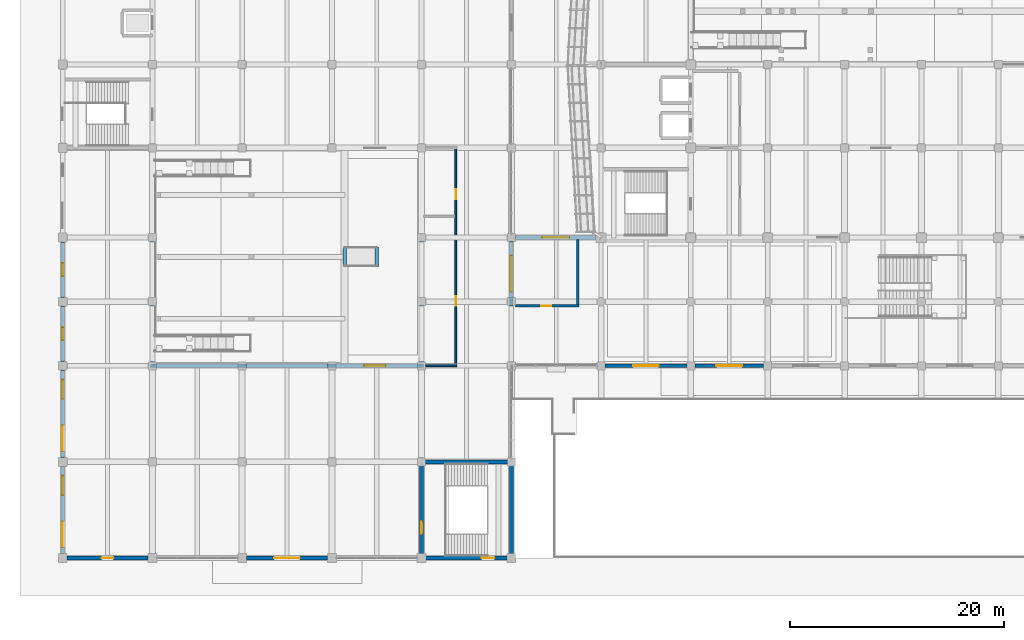
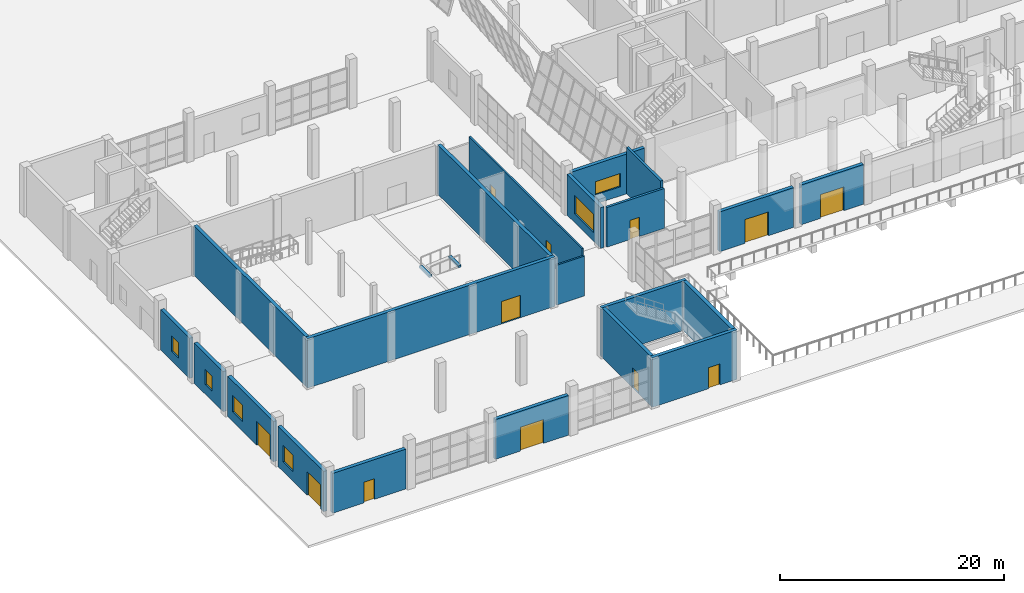
# One storey, part 60 of 78: 23 walls, 12 doors, 6 windows, 18 openings.
"""IFC4 building model written with IfcOpenShell, lengths in metres."""

from ifc_helpers import new_model, si_unit, direction, frame, frame_2d, origin, place, context, subcontext, project, spatial, rectangle, extrude, material, layer, layer_set, type_object, element, fill, save


model = new_model("IFC4")

# Units and contexts
model_context = context("Model", 3, precision=1e-05, world=origin(), true_north=direction((0.0, 1.0)))
body_context = subcontext(model_context, "Body", "Model", "MODEL_VIEW")
ifc_project = project(units=[si_unit("LENGTHUNIT", "METRE"), si_unit("AREAUNIT", "SQUARE_METRE"), si_unit("VOLUMEUNIT", "CUBIC_METRE"), si_unit("PLANEANGLEUNIT", "RADIAN"), si_unit("MASSUNIT", "GRAM", prefix="KILO")], contexts=[model_context])

# Site, building, storey
site_placement = place(None, origin())
site = spatial("IfcSite", under=ifc_project, at=site_placement, CompositionType="ELEMENT")
building_placement = place(site_placement, origin())
building = spatial("IfcBuilding", under=site, at=building_placement, Name="Pellamere Symphony Hall", CompositionType="ELEMENT")
storey_placement = place(building_placement, origin())
storey = spatial("IfcBuildingStorey", under=building, at=storey_placement, Name="L00", CompositionType="ELEMENT", Elevation=0.0)

# Wall, opening, door
ifc_material_1 = material(Name="Precast concrete 40 MPa", Category="concrete")
ifc_layer_1 = layer(ifc_material_1, 0.360107421875, Name="Precast concrete 40 MPa")
ifc_layer_set_1 = layer_set([ifc_layer_1], Name="Precast concrete 40 MPa")
wall_type_1 = type_object("IfcWallType", Name="Exterior Wall EW-01 360mm", PredefinedType="SOLIDWALL", material=ifc_layer_set_1)
wall_1_placement = place(storey_placement, frame((0.409912109375, 0.0, 0.0), z_axis=(0.0, 0.0, 1.0), x_axis=(1.0, 0.0, 0.0)))
wall_1 = element("IfcWall", 1, at=wall_1_placement, inside=storey, type_object=wall_type_1, Name="Exterior Wall EW-01-001 (L00)", PredefinedType="SOLIDWALL", context=body_context, shape_type="SweptSolid", body=[
    extrude(rectangle(XDim=7.580078125, YDim=0.360107421875, at=frame_2d((3.7900390625, 0.0))), origin(), (0.0, 0.0, 1.0), 4.35009765625),
])
opening_1_placement = place(wall_1_placement, frame((3.239990234375, 0.0, 0.0)))
opening_1 = element("IfcOpeningElement", 2, at=opening_1_placement, cuts=wall_1, Name="Opening E05", PredefinedType="OPENING", context=body_context, shape_type="SweptSolid", body=[
    extrude(rectangle(XDim=1.10009765625, YDim=2.25, at=frame_2d((0.550048828125, 1.125))), frame((0.0, 0.18994140625, 0.0), z_axis=(0.0, -1.0, 0.0), x_axis=(1.0, 0.0, 0.0)), (0.0, 0.0, 1.0), 0.380126953125),
])
ifc_material_2 = material(Name="Thermally Broken Bronze-Anodised Aluminium Acoustic Door", Category="aluminium")
door_type_1 = type_object("IfcDoorType", Name="Exterior Door ED-03 1100x2250", OperationType="NOTDEFINED", PredefinedType="DOOR", material=ifc_material_2)
door_1_placement = place(opening_1_placement, frame((1.10009765625, 0.0, 0.0), z_axis=(0.0, 0.0, 1.0), x_axis=(-1.0, 0.0, 0.0)))
door_1 = element("IfcDoor", 3, at=door_1_placement, inside=storey, type_object=door_type_1, Name="Chamber South Street Exit Door", OperationType="SINGLE_SWING_LEFT", OverallHeight=2.25, OverallWidth=1.10009765625, PredefinedType="DOOR", context=body_context, shape_type="SweptSolid", body=[
    extrude(rectangle(XDim=1.10009765625, YDim=2.25, at=frame_2d((0.550048828125, 1.125))), frame((0.0, 0.02490234375, 0.0), z_axis=(0.0, -1.0, 0.0), x_axis=(1.0, 0.0, 0.0)), (0.0, 0.0, 1.0), 0.050048828125),
])
fill(opening_1, door_1)

wall_2_placement = place(storey_placement, frame((17.2099609375, 0.0, 0.0), z_axis=(0.0, 0.0, 1.0), x_axis=(1.0, 0.0, 0.0)))
wall_2 = element("IfcWall", 4, at=wall_2_placement, inside=storey, type_object=wall_type_1, Name="Exterior Wall EW-01-002 (L00)", PredefinedType="SOLIDWALL", context=body_context, shape_type="SweptSolid", body=[
    extrude(rectangle(XDim=7.580078125, YDim=0.360107421875, at=frame_2d((3.7900390625, 0.0))), origin(), (0.0, 0.0, 1.0), 4.35009765625),
])
opening_2_placement = place(wall_2_placement, frame((2.590087890625, 0.0, 0.0)))
opening_2 = element("IfcOpeningElement", 5, at=opening_2_placement, cuts=wall_2, Name="Opening E06", PredefinedType="OPENING", context=body_context, shape_type="SweptSolid", body=[
    extrude(rectangle(XDim=2.39990234375, YDim=2.60009765625, at=frame_2d((1.199951171875, 1.300048828125))), frame((0.0, 0.18994140625, 0.0), z_axis=(0.0, -1.0, 0.0), x_axis=(1.0, 0.0, 0.0)), (0.0, 0.0, 1.0), 0.380126953125),
])
door_type_2 = type_object("IfcDoorType", Name="Exterior Door ED-01 2400x2600", OperationType="NOTDEFINED", PredefinedType="DOOR", material=ifc_material_2)
door_2_placement = place(opening_2_placement, frame((2.39990234375, 0.0, 0.0), z_axis=(0.0, 0.0, 1.0), x_axis=(-1.0, 0.0, 0.0)))
door_2 = element("IfcDoor", 6, at=door_2_placement, inside=storey, type_object=door_type_2, Name="Chamber Hall Main Entrance", OperationType="DOUBLE_DOOR_SINGLE_SWING", OverallHeight=2.60009765625, OverallWidth=2.39990234375, PredefinedType="DOOR", context=body_context, shape_type="SweptSolid", body=[
    extrude(rectangle(XDim=2.39990234375, YDim=2.60009765625, at=frame_2d((1.199951171875, 1.300048828125))), frame((0.0, 0.02490234375, 0.0), z_axis=(0.0, -1.0, 0.0), x_axis=(1.0, 0.0, 0.0)), (0.0, 0.0, 1.0), 0.050048828125),
])
fill(opening_2, door_2)

# Wall, openings, door, window
wall_3_placement = place(storey_placement, frame((0.0, 0.409912109375, 0.0), z_axis=(0.0, 0.0, 1.0), x_axis=(0.0, 1.0, 0.0)))
wall_3 = element("IfcWall", 7, at=wall_3_placement, inside=storey, type_object=wall_type_1, Name="Exterior Wall EW-01-003 (L00)", PredefinedType="SOLIDWALL", context=body_context, shape_type="SweptSolid", body=[
    extrude(rectangle(XDim=8.18017578125, YDim=0.360107421875, at=frame_2d((4.090087890625, 0.0))), origin(), (0.0, 0.0, 1.0), 4.39990234375),
])
opening_3_placement = place(wall_3_placement, frame((5.48046875, 0.0, 1.050048828125)))
opening_3 = element("IfcOpeningElement", 8, at=opening_3_placement, cuts=wall_3, Name="Opening W001", PredefinedType="OPENING", context=body_context, shape_type="SweptSolid", body=[
    extrude(rectangle(XDim=1.800048828125, YDim=1.800048828125, at=frame_2d((0.89990234375, 0.89990234375))), frame((0.0, 0.18994140625, 0.0), z_axis=(0.0, -1.0, 0.0), x_axis=(1.0, 0.0, 0.0)), (0.0, 0.0, 1.0), 0.380126953125),
])
opening_4_placement = place(wall_3_placement, frame((0.599609375, 0.0, 0.0)))
opening_4 = element("IfcOpeningElement", 9, at=opening_4_placement, cuts=wall_3, Name="Opening E070", PredefinedType="OPENING", context=body_context, shape_type="SweptSolid", body=[
    extrude(rectangle(XDim=2.39990234375, YDim=2.60009765625, at=frame_2d((1.199951171875, 1.300048828125))), frame((0.0, 0.18994140625, 0.0), z_axis=(0.0, -1.0, 0.0), x_axis=(1.0, 0.0, 0.0)), (0.0, 0.0, 1.0), 0.380126953125),
])
door_3_placement = place(opening_4_placement, origin())
door_3 = element("IfcDoor", 10, at=door_3_placement, inside=storey, type_object=door_type_2, Name="Chamber West Promenade Exit", OperationType="DOUBLE_DOOR_SINGLE_SWING", OverallHeight=2.60009765625, OverallWidth=2.39990234375, PredefinedType="DOOR", context=body_context, shape_type="SweptSolid", body=[
    extrude(rectangle(XDim=2.39990234375, YDim=2.60009765625, at=frame_2d((1.199951171875, 1.300048828125))), frame((0.0, 0.02490234375, 0.0), z_axis=(0.0, -1.0, 0.0), x_axis=(1.0, 0.0, 0.0)), (0.0, 0.0, 1.0), 0.050048828125),
])
fill(opening_4, door_3)
ifc_material_3 = material(Name="Thermally Broken Aluminium Triple-Glazed Acoustic Window", Category="aluminium")
window_type_1 = type_object("IfcWindowType", Name="Window WN-03 1800x1800", PartitioningType="DOUBLE_PANEL_VERTICAL", PredefinedType="WINDOW", material=ifc_material_3)
window_1_placement = place(opening_3_placement, origin())
window_1 = element("IfcWindow", 11, at=window_1_placement, inside=storey, type_object=window_type_1, Name="Exterior Window W001 (L00)", OverallHeight=1.800048828125, OverallWidth=1.800048828125, PartitioningType="SINGLE_PANEL", PredefinedType="WINDOW", context=body_context, shape_type="SweptSolid", body=[
    extrude(rectangle(XDim=1.800048828125, YDim=1.800048828125, at=frame_2d((0.89990234375, 0.89990234375))), frame((0.0, 0.030029296875, 0.0), z_axis=(0.0, -1.0, 0.0), x_axis=(1.0, 0.0, 0.0)), (0.0, 0.0, 1.0), 0.06005859375),
])
fill(opening_3, window_1)

wall_4_placement = place(storey_placement, frame((0.0, 9.409912109375, 0.0), z_axis=(0.0, 0.0, 1.0), x_axis=(0.0, 1.0, 0.0)))
wall_4 = element("IfcWall", 12, at=wall_4_placement, inside=storey, type_object=wall_type_1, Name="Exterior Wall EW-01-004 (L00)", PredefinedType="SOLIDWALL", context=body_context, shape_type="SweptSolid", body=[
    extrude(rectangle(XDim=8.18017578125, YDim=0.360107421875, at=frame_2d((4.090087890625, 0.0))), origin(), (0.0, 0.0, 1.0), 4.39990234375),
])
opening_5_placement = place(wall_4_placement, frame((5.48046875, 0.0, 1.050048828125)))
opening_5 = element("IfcOpeningElement", 13, at=opening_5_placement, cuts=wall_4, Name="Opening W002", PredefinedType="OPENING", context=body_context, shape_type="SweptSolid", body=[
    extrude(rectangle(XDim=1.800048828125, YDim=1.800048828125, at=frame_2d((0.89990234375, 0.89990234375))), frame((0.0, 0.18994140625, 0.0), z_axis=(0.0, -1.0, 0.0), x_axis=(1.0, 0.0, 0.0)), (0.0, 0.0, 1.0), 0.380126953125),
])
opening_6_placement = place(wall_4_placement, frame((0.599609375, 0.0, 0.0)))
opening_6 = element("IfcOpeningElement", 14, at=opening_6_placement, cuts=wall_4, Name="Opening E079", PredefinedType="OPENING", context=body_context, shape_type="SweptSolid", body=[
    extrude(rectangle(XDim=2.39990234375, YDim=2.60009765625, at=frame_2d((1.199951171875, 1.300048828125))), frame((0.0, 0.18994140625, 0.0), z_axis=(0.0, -1.0, 0.0), x_axis=(1.0, 0.0, 0.0)), (0.0, 0.0, 1.0), 0.380126953125),
])
door_4_placement = place(opening_6_placement, origin())
door_4 = element("IfcDoor", 15, at=door_4_placement, inside=storey, type_object=door_type_2, Name="Chamber West Promenade Exit", OperationType="DOUBLE_DOOR_SINGLE_SWING", OverallHeight=2.60009765625, OverallWidth=2.39990234375, PredefinedType="DOOR", context=body_context, shape_type="SweptSolid", body=[
    extrude(rectangle(XDim=2.39990234375, YDim=2.60009765625, at=frame_2d((1.199951171875, 1.300048828125))), frame((0.0, 0.02490234375, 0.0), z_axis=(0.0, -1.0, 0.0), x_axis=(1.0, 0.0, 0.0)), (0.0, 0.0, 1.0), 0.050048828125),
])
fill(opening_6, door_4)
window_2_placement = place(opening_5_placement, origin())
window_2 = element("IfcWindow", 16, at=window_2_placement, inside=storey, type_object=window_type_1, Name="Exterior Window W002 (L00)", OverallHeight=1.800048828125, OverallWidth=1.800048828125, PartitioningType="SINGLE_PANEL", PredefinedType="WINDOW", context=body_context, shape_type="SweptSolid", body=[
    extrude(rectangle(XDim=1.800048828125, YDim=1.800048828125, at=frame_2d((0.89990234375, 0.89990234375))), frame((0.0, 0.030029296875, 0.0), z_axis=(0.0, -1.0, 0.0), x_axis=(1.0, 0.0, 0.0)), (0.0, 0.0, 1.0), 0.06005859375),
])
fill(opening_5, window_2)

# Wall, opening, window
wall_5_placement = place(storey_placement, frame((0.0, 18.409912109375, 0.0), z_axis=(0.0, 0.0, 1.0), x_axis=(0.0, 1.0, 0.0)))
wall_5 = element("IfcWall", 17, at=wall_5_placement, inside=storey, type_object=wall_type_1, Name="Exterior Wall EW-01-005 (L00)", PredefinedType="SOLIDWALL", context=body_context, shape_type="SweptSolid", body=[
    extrude(rectangle(XDim=5.18017578125, YDim=0.360107421875, at=frame_2d((2.590087890625, 0.0))), origin(), (0.0, 0.0, 1.0), 4.39990234375),
])
opening_7_placement = place(wall_5_placement, frame((1.989990234375, 0.0, 1.050048828125)))
opening_7 = element("IfcOpeningElement", 18, at=opening_7_placement, cuts=wall_5, Name="Opening W003", PredefinedType="OPENING", context=body_context, shape_type="SweptSolid", body=[
    extrude(rectangle(XDim=1.199951171875, YDim=1.64990234375, at=frame_2d((0.60009765625, 0.824951171875))), frame((0.0, 0.18994140625, 0.0), z_axis=(0.0, -1.0, 0.0), x_axis=(1.0, 0.0, 0.0)), (0.0, 0.0, 1.0), 0.380126953125),
])
window_type_2 = type_object("IfcWindowType", Name="Window WN-07 1200x1650", PartitioningType="SINGLE_PANEL", PredefinedType="WINDOW", material=ifc_material_3)
window_3_placement = place(opening_7_placement, origin())
window_3 = element("IfcWindow", 19, at=window_3_placement, inside=storey, type_object=window_type_2, Name="Exterior Window W003 (L00)", OverallHeight=1.64990234375, OverallWidth=1.199951171875, PartitioningType="SINGLE_PANEL", PredefinedType="WINDOW", context=body_context, shape_type="SweptSolid", body=[
    extrude(rectangle(XDim=1.199951171875, YDim=1.64990234375, at=frame_2d((0.60009765625, 0.824951171875))), frame((0.0, 0.030029296875, 0.0), z_axis=(0.0, -1.0, 0.0), x_axis=(1.0, 0.0, 0.0)), (0.0, 0.0, 1.0), 0.06005859375),
])
fill(opening_7, window_3)

wall_6_placement = place(storey_placement, frame((0.0, 24.409912109375, 0.0), z_axis=(0.0, 0.0, 1.0), x_axis=(0.0, 1.0, 0.0)))
wall_6 = element("IfcWall", 20, at=wall_6_placement, inside=storey, type_object=wall_type_1, Name="Exterior Wall EW-01-006 (L00)", PredefinedType="SOLIDWALL", context=body_context, shape_type="SweptSolid", body=[
    extrude(rectangle(XDim=5.18017578125, YDim=0.360107421875, at=frame_2d((2.590087890625, 0.0))), origin(), (0.0, 0.0, 1.0), 4.39990234375),
])
opening_8_placement = place(wall_6_placement, frame((1.989990234375, 0.0, 1.050048828125)))
opening_8 = element("IfcOpeningElement", 21, at=opening_8_placement, cuts=wall_6, Name="Opening W004", PredefinedType="OPENING", context=body_context, shape_type="SweptSolid", body=[
    extrude(rectangle(XDim=1.199951171875, YDim=1.64990234375, at=frame_2d((0.60009765625, 0.824951171875))), frame((0.0, 0.18994140625, 0.0), z_axis=(0.0, -1.0, 0.0), x_axis=(1.0, 0.0, 0.0)), (0.0, 0.0, 1.0), 0.380126953125),
])
window_4_placement = place(opening_8_placement, origin())
window_4 = element("IfcWindow", 22, at=window_4_placement, inside=storey, type_object=window_type_2, Name="Exterior Window W004 (L00)", OverallHeight=1.64990234375, OverallWidth=1.199951171875, PartitioningType="SINGLE_PANEL", PredefinedType="WINDOW", context=body_context, shape_type="SweptSolid", body=[
    extrude(rectangle(XDim=1.199951171875, YDim=1.64990234375, at=frame_2d((0.60009765625, 0.824951171875))), frame((0.0, 0.030029296875, 0.0), z_axis=(0.0, -1.0, 0.0), x_axis=(1.0, 0.0, 0.0)), (0.0, 0.0, 1.0), 0.06005859375),
])
fill(opening_8, window_4)

# Wall, opening, door
wall_7_placement = place(storey_placement, frame((50.77490234375, 18.0, 0.0), z_axis=(0.0, 0.0, 1.0), x_axis=(1.0, 0.0, 0.0)))
wall_7 = element("IfcWall", 23, at=wall_7_placement, inside=storey, type_object=wall_type_1, Name="Exterior Wall EW-01-038 (L00)", PredefinedType="SOLIDWALL", context=body_context, shape_type="SweptSolid", body=[
    extrude(rectangle(XDim=7.650146484375, YDim=0.360107421875, at=frame_2d((3.8251953125, 0.0))), origin(), (0.0, 0.0, 1.0), 4.35009765625),
])
opening_9_placement = place(wall_7_placement, frame((2.625, 0.0, 0.0)))
opening_9 = element("IfcOpeningElement", 24, at=opening_9_placement, cuts=wall_7, Name="Opening E03A", PredefinedType="OPENING", context=body_context, shape_type="SweptSolid", body=[
    extrude(rectangle(XDim=2.39990234375, YDim=2.60009765625, at=frame_2d((1.199951171875, 1.300048828125))), frame((0.0, 0.18994140625, 0.0), z_axis=(0.0, -1.0, 0.0), x_axis=(1.0, 0.0, 0.0)), (0.0, 0.0, 1.0), 0.380126953125),
])
door_5_placement = place(opening_9_placement, frame((2.39990234375, 0.0, 0.0), z_axis=(0.0, 0.0, 1.0), x_axis=(-1.0, 0.0, 0.0)))
door_5 = element("IfcDoor", 25, at=door_5_placement, inside=storey, type_object=door_type_2, Name="Grand Winter-Garden Far West Entrance", OperationType="DOUBLE_DOOR_SINGLE_SWING", OverallHeight=2.60009765625, OverallWidth=2.39990234375, PredefinedType="DOOR", context=body_context, shape_type="SweptSolid", body=[
    extrude(rectangle(XDim=2.39990234375, YDim=2.60009765625, at=frame_2d((1.199951171875, 1.300048828125))), frame((0.0, 0.02490234375, 0.0), z_axis=(0.0, -1.0, 0.0), x_axis=(1.0, 0.0, 0.0)), (0.0, 0.0, 1.0), 0.050048828125),
])
fill(opening_9, door_5)

wall_8_placement = place(storey_placement, frame((59.175048828125, 18.0, 0.0), z_axis=(0.0, 0.0, 1.0), x_axis=(1.0, 0.0, 0.0)))
wall_8 = element("IfcWall", 26, at=wall_8_placement, inside=storey, type_object=wall_type_1, Name="Exterior Wall EW-01-039 (L00)", PredefinedType="SOLIDWALL", context=body_context, shape_type="SweptSolid", body=[
    extrude(rectangle(XDim=6.449951171875, YDim=0.360107421875, at=frame_2d((3.22509765625, 0.0))), origin(), (0.0, 0.0, 1.0), 4.35009765625),
])
opening_10_placement = place(wall_8_placement, frame((2.02490234375, 0.0, 0.0)))
opening_10 = element("IfcOpeningElement", 27, at=opening_10_placement, cuts=wall_8, Name="Opening E03", PredefinedType="OPENING", context=body_context, shape_type="SweptSolid", body=[
    extrude(rectangle(XDim=2.39990234375, YDim=2.60009765625, at=frame_2d((1.199951171875, 1.300048828125))), frame((0.0, 0.18994140625, 0.0), z_axis=(0.0, -1.0, 0.0), x_axis=(1.0, 0.0, 0.0)), (0.0, 0.0, 1.0), 0.380126953125),
])
door_6_placement = place(opening_10_placement, frame((2.39990234375, 0.0, 0.0), z_axis=(0.0, 0.0, 1.0), x_axis=(-1.0, 0.0, 0.0)))
door_6 = element("IfcDoor", 28, at=door_6_placement, inside=storey, type_object=door_type_2, Name="Grand Winter-Garden West Entrance 1", OperationType="DOUBLE_DOOR_SINGLE_SWING", OverallHeight=2.60009765625, OverallWidth=2.39990234375, PredefinedType="DOOR", context=body_context, shape_type="SweptSolid", body=[
    extrude(rectangle(XDim=2.39990234375, YDim=2.60009765625, at=frame_2d((1.199951171875, 1.300048828125))), frame((0.0, 0.02490234375, 0.0), z_axis=(0.0, -1.0, 0.0), x_axis=(1.0, 0.0, 0.0)), (0.0, 0.0, 1.0), 0.050048828125),
])
fill(opening_10, door_6)

# Wall, opening, window
wall_9_placement = place(storey_placement, frame((42.0, 23.60009765625, 0.0), z_axis=(0.0, 0.0, 1.0), x_axis=(0.0, 1.0, 0.0)))
wall_9 = element("IfcWall", 29, at=wall_9_placement, inside=storey, type_object=wall_type_1, Name="Exterior Wall EW-01-065 (L00)", PredefinedType="SOLIDWALL", context=body_context, shape_type="SweptSolid", body=[
    extrude(rectangle(XDim=6.02490234375, YDim=0.360107421875, at=frame_2d((3.012451171875, 0.0))), origin(), (0.0, 0.0, 1.0), 4.449951171875),
])
opening_11_placement = place(wall_9_placement, frame((1.3125, 0.0, 0.949951171875)))
opening_11 = element("IfcOpeningElement", 30, at=opening_11_placement, cuts=wall_9, Name="Opening W039", PredefinedType="OPENING", context=body_context, shape_type="SweptSolid", body=[
    extrude(rectangle(XDim=3.39990234375, YDim=2.0, at=frame_2d((1.699951171875, 1.0))), frame((0.0, 0.18994140625, 0.0), z_axis=(0.0, -1.0, 0.0), x_axis=(1.0, 0.0, 0.0)), (0.0, 0.0, 1.0), 0.380126953125),
])
window_type_3 = type_object("IfcWindowType", Name="Window WN-19 3400x2000", PartitioningType="TRIPLE_PANEL_VERTICAL", PredefinedType="WINDOW", material=ifc_material_3)
window_5_placement = place(opening_11_placement, origin())
window_5 = element("IfcWindow", 31, at=window_5_placement, inside=storey, type_object=window_type_3, Name="Exterior Window W039 (L00)", OverallHeight=2.0, OverallWidth=3.39990234375, PartitioningType="SINGLE_PANEL", PredefinedType="WINDOW", context=body_context, shape_type="SweptSolid", body=[
    extrude(rectangle(XDim=3.39990234375, YDim=2.0, at=frame_2d((1.699951171875, 1.0))), frame((0.0, 0.030029296875, 0.0), z_axis=(0.0, -1.0, 0.0), x_axis=(1.0, 0.0, 0.0)), (0.0, 0.0, 1.0), 0.06005859375),
])
fill(opening_11, window_5)

wall_10_placement = place(storey_placement, frame((42.375, 30.0, 0.0), z_axis=(0.0, 0.0, 1.0), x_axis=(1.0, 0.0, 0.0)))
wall_10 = element("IfcWall", 32, at=wall_10_placement, inside=storey, type_object=wall_type_1, Name="Exterior Wall EW-01-066 (L00)", PredefinedType="SOLIDWALL", context=body_context, shape_type="SweptSolid", body=[
    extrude(rectangle(XDim=7.574951171875, YDim=0.360107421875, at=frame_2d((3.78759765625, 0.0))), origin(), (0.0, 0.0, 1.0), 4.35009765625),
])
opening_12_placement = place(wall_10_placement, frame((2.512451171875, 0.0, 1.0)))
opening_12 = element("IfcOpeningElement", 33, at=opening_12_placement, cuts=wall_10, Name="Opening W040", PredefinedType="OPENING", context=body_context, shape_type="SweptSolid", body=[
    extrude(rectangle(XDim=2.550048828125, YDim=1.449951171875, at=frame_2d((1.27490234375, 0.72509765625))), frame((0.0, 0.18994140625, 0.0), z_axis=(0.0, -1.0, 0.0), x_axis=(1.0, 0.0, 0.0)), (0.0, 0.0, 1.0), 0.380126953125),
])
window_type_4 = type_object("IfcWindowType", Name="Window WN-20 2550x1450", PartitioningType="DOUBLE_PANEL_HORIZONTAL", PredefinedType="WINDOW", material=ifc_material_3)
window_6_placement = place(opening_12_placement, origin())
window_6 = element("IfcWindow", 34, at=window_6_placement, inside=storey, type_object=window_type_4, Name="Exterior Window W040 (L00)", OverallHeight=1.449951171875, OverallWidth=2.550048828125, PartitioningType="SINGLE_PANEL", PredefinedType="WINDOW", context=body_context, shape_type="SweptSolid", body=[
    extrude(rectangle(XDim=2.550048828125, YDim=1.449951171875, at=frame_2d((1.27490234375, 0.72509765625))), frame((0.0, 0.030029296875, 0.0), z_axis=(0.0, -1.0, 0.0), x_axis=(1.0, 0.0, 0.0)), (0.0, 0.0, 1.0), 0.06005859375),
])
fill(opening_12, window_6)

# Wall
ifc_material_4 = material(Name="Double-Stud STC-65 Acoustic Drywall Partition", Category="gypsum")
ifc_layer_2 = layer(ifc_material_4, 0.239990234375, Name="Double-Stud STC-65 Acoustic Drywall Partition")
ifc_layer_set_2 = layer_set([ifc_layer_2], Name="Double-Stud STC-65 Acoustic Drywall Partition")
wall_type_2 = type_object("IfcWallType", Name="Interior Partition IW-01 240mm", PredefinedType="PARTITIONING", material=ifc_layer_set_2)
wall_11_placement = place(storey_placement, frame((48.199951171875, 23.72998046875, 0.0), z_axis=(0.0, 0.0, 1.0), x_axis=(0.0, 1.0, 0.0)))
element("IfcWall", 35, at=wall_11_placement, inside=storey, type_object=wall_type_2, Name="Interior Partition IW-01-052 (L00)", PredefinedType="PARTITIONING", context=body_context, shape_type="SweptSolid", body=[
    extrude(rectangle(XDim=6.080078125, YDim=0.239990234375, at=frame_2d((3.0400390625, 0.0))), origin(), (0.0, 0.0, 1.0), 5.090087890625),
])

# Wall, opening, door
wall_12_placement = place(storey_placement, frame((42.389892578125, 23.60009765625, 0.0), z_axis=(0.0, 0.0, 1.0), x_axis=(1.0, 0.0, 0.0)))
wall_12 = element("IfcWall", 36, at=wall_12_placement, inside=storey, type_object=wall_type_2, Name="Interior Partition IW-01-053 (L00)", PredefinedType="PARTITIONING", context=body_context, shape_type="SweptSolid", body=[
    extrude(rectangle(XDim=5.93017578125, YDim=0.239990234375, at=frame_2d((2.965087890625, 0.0))), origin(), (0.0, 0.0, 1.0), 4.340087890625),
])
opening_13_placement = place(wall_12_placement, frame((2.409912109375, 0.0, 0.0)))
opening_13 = element("IfcOpeningElement", 37, at=opening_13_placement, cuts=wall_12, Name="Opening FD-120", PredefinedType="OPENING", context=body_context, shape_type="SweptSolid", body=[
    extrude(rectangle(XDim=0.949951171875, YDim=2.10009765625, at=frame_2d((0.47509765625, 1.050048828125))), frame((0.0, 0.1298828125, 0.0), z_axis=(0.0, -1.0, 0.0), x_axis=(1.0, 0.0, 0.0)), (0.0, 0.0, 1.0), 0.260009765625),
])
ifc_material_5 = material(Name="Two-Hour Fire-Rated Steel Compartment Door", Category="steel")
door_type_3 = type_object("IfcDoorType", Name="Interior Door ID-FD3 950x2100", OperationType="NOTDEFINED", PredefinedType="DOOR", material=ifc_material_5)
door_7_placement = place(opening_13_placement, origin())
door_7 = element("IfcDoor", 38, at=door_7_placement, inside=storey, type_object=door_type_3, Name="Fire Command Room Foyer Door", OperationType="SINGLE_SWING_LEFT", OverallHeight=2.10009765625, OverallWidth=0.949951171875, PredefinedType="DOOR", context=body_context, shape_type="SweptSolid", body=[
    extrude(rectangle(XDim=0.949951171875, YDim=2.10009765625, at=frame_2d((0.47509765625, 1.050048828125))), frame((0.0, 0.02490234375, 0.0), z_axis=(0.0, -1.0, 0.0), x_axis=(1.0, 0.0, 0.0)), (0.0, 0.0, 1.0), 0.050048828125),
])
fill(opening_13, door_7)

# Wall
ifc_material_6 = material(Name="Moisture-Resistant Ceramic-Tiled Washroom Wall", Category="gypsum")
ifc_layer_3 = layer(ifc_material_6, 0.179931640625, Name="Moisture-Resistant Ceramic-Tiled Washroom Wall")
ifc_layer_set_3 = layer_set([ifc_layer_3], Name="Moisture-Resistant Ceramic-Tiled Washroom Wall")
wall_type_3 = type_object("IfcWallType", Name="Interior Partition IW-06 180mm", PredefinedType="PARTITIONING", material=ifc_layer_set_3)
wall_13_placement = place(storey_placement, frame((33.989990234375, 18.0, 0.0), z_axis=(0.0, 0.0, 1.0), x_axis=(1.0, 0.0, 0.0)))
element("IfcWall", 39, at=wall_13_placement, inside=storey, type_object=wall_type_3, Name="Interior Partition IW-06-059 (L00)", PredefinedType="PARTITIONING", context=body_context, shape_type="SweptSolid", body=[
    extrude(rectangle(XDim=2.89990234375, YDim=0.179931640625, at=frame_2d((1.449951171875, 0.0))), origin(), (0.0, 0.0, 1.0), 4.35009765625),
])

# Wall, openings, doors
wall_14_placement = place(storey_placement, frame((36.800048828125, 18.10009765625, 0.0), z_axis=(0.0, 0.0, 1.0), x_axis=(0.0, 1.0, 0.0)))
wall_14 = element("IfcWall", 40, at=wall_14_placement, inside=storey, type_object=wall_type_3, Name="Interior Partition IW-06-062 (L00)", PredefinedType="PARTITIONING", context=body_context, shape_type="SweptSolid", body=[
    extrude(rectangle(XDim=20.199951171875, YDim=0.179931640625, at=frame_2d((10.10009765625, 0.0))), origin(), (0.0, 0.0, 1.0), 5.090087890625),
])
opening_14_placement = place(wall_14_placement, frame((5.5, 0.0, 0.0)))
opening_14 = element("IfcOpeningElement", 41, at=opening_14_placement, cuts=wall_14, Name="Opening ID-WC1-022", PredefinedType="OPENING", context=body_context, shape_type="SweptSolid", body=[
    extrude(rectangle(XDim=0.919921875, YDim=2.14990234375, at=frame_2d((0.4599609375, 1.074951171875))), frame((0.0, 0.099853515625, 0.0), z_axis=(0.0, -1.0, 0.0), x_axis=(1.0, 0.0, 0.0)), (0.0, 0.0, 1.0), 0.199951171875),
])
opening_15_placement = place(wall_14_placement, frame((15.5, 0.0, 0.0)))
opening_15 = element("IfcOpeningElement", 42, at=opening_15_placement, cuts=wall_14, Name="Opening ID-WC1-023", PredefinedType="OPENING", context=body_context, shape_type="SweptSolid", body=[
    extrude(rectangle(XDim=0.919921875, YDim=2.14990234375, at=frame_2d((0.4599609375, 1.074951171875))), frame((0.0, 0.099853515625, 0.0), z_axis=(0.0, -1.0, 0.0), x_axis=(1.0, 0.0, 0.0)), (0.0, 0.0, 1.0), 0.199951171875),
])
ifc_material_7 = material(Name="Accessible Washroom Privacy Door", Category="wood")
door_type_4 = type_object("IfcDoorType", Name="Interior Door ID-WC1 920x2150", OperationType="NOTDEFINED", PredefinedType="DOOR", material=ifc_material_7)
door_8_placement = place(opening_14_placement, origin())
door_8 = element("IfcDoor", 43, at=door_8_placement, inside=storey, type_object=door_type_4, Name="Chamber Public Washrooms Door", OperationType="SINGLE_SWING_LEFT", OverallHeight=2.14990234375, OverallWidth=0.919921875, PredefinedType="DOOR", context=body_context, shape_type="SweptSolid", body=[
    extrude(rectangle(XDim=0.919921875, YDim=2.14990234375, at=frame_2d((0.4599609375, 1.074951171875))), frame((0.0, 0.02490234375, 0.0), z_axis=(0.0, -1.0, 0.0), x_axis=(1.0, 0.0, 0.0)), (0.0, 0.0, 1.0), 0.050048828125),
])
fill(opening_14, door_8)
door_9_placement = place(opening_15_placement, origin())
door_9 = element("IfcDoor", 44, at=door_9_placement, inside=storey, type_object=door_type_4, Name="Chamber Accessible WC Door", OperationType="SINGLE_SWING_RIGHT", OverallHeight=2.14990234375, OverallWidth=0.919921875, PredefinedType="DOOR", context=body_context, shape_type="SweptSolid", body=[
    extrude(rectangle(XDim=0.919921875, YDim=2.14990234375, at=frame_2d((0.4599609375, 1.074951171875))), frame((0.0, 0.02490234375, 0.0), z_axis=(0.0, -1.0, 0.0), x_axis=(1.0, 0.0, 0.0)), (0.0, 0.0, 1.0), 0.050048828125),
])
fill(opening_15, door_9)

# Wall, opening, door
ifc_material_8 = material(Name="Concrete 40 MPa", Category="concrete")
ifc_layer_4 = layer(ifc_material_8, 0.35009765625, Name="Concrete 40 MPa")
ifc_layer_set_4 = layer_set([ifc_layer_4], Name="Concrete 40 MPa")
wall_type_4 = type_object("IfcWallType", Name="Structural Wall SW-03 350mm", PredefinedType="SHEAR", material=ifc_layer_set_4)
wall_15_placement = place(storey_placement, frame((8.22509765625, 18.0, 0.0), z_axis=(0.0, 0.0, 1.0), x_axis=(1.0, 0.0, 0.0)))
wall_15 = element("IfcWall", 45, at=wall_15_placement, inside=storey, type_object=wall_type_4, Name="Chamber Hall Acoustic Wall AW2-S (L00)", PredefinedType="SHEAR", context=body_context, shape_type="SweptSolid", body=[
    extrude(rectangle(XDim=25.5498046875, YDim=0.35009765625, at=frame_2d((12.77490234375, 0.0))), origin(), (0.0, 0.0, 1.0), 5.39990234375),
])
opening_16_placement = place(wall_15_placement, frame((20.0, 0.0, 0.0)))
opening_16 = element("IfcOpeningElement", 46, at=opening_16_placement, cuts=wall_15, Name="Opening AD-11", PredefinedType="OPENING", context=body_context, shape_type="SweptSolid", body=[
    extrude(rectangle(XDim=2.0, YDim=2.449951171875, at=frame_2d((1.0, 1.22509765625))), frame((0.0, 0.18505859375, 0.0), z_axis=(0.0, -1.0, 0.0), x_axis=(1.0, 0.0, 0.0)), (0.0, 0.0, 1.0), 0.3701171875),
])
ifc_material_9 = material(Name="STC-55 Solid White Oak Acoustic Hall Entry Door", Category="wood")
door_type_5 = type_object("IfcDoorType", Name="Interior Door ID-AD1 2000x2450", OperationType="NOTDEFINED", PredefinedType="DOOR", material=ifc_material_9)
door_10_placement = place(opening_16_placement, origin())
door_10 = element("IfcDoor", 47, at=door_10_placement, inside=storey, type_object=door_type_5, Name="Chamber Hall Stalls Entry Door S", OperationType="DOUBLE_DOOR_SINGLE_SWING", OverallHeight=2.449951171875, OverallWidth=2.0, PredefinedType="DOOR", context=body_context, shape_type="SweptSolid", body=[
    extrude(rectangle(XDim=2.0, YDim=2.449951171875, at=frame_2d((1.0, 1.22509765625))), frame((0.0, 0.02490234375, 0.0), z_axis=(0.0, -1.0, 0.0), x_axis=(1.0, 0.0, 0.0)), (0.0, 0.0, 1.0), 0.050048828125),
])
fill(opening_16, door_10)

# Walls
for number, where, z_axis, x_axis, name in (
    (48, (8.39990234375, 18.175048828125, 0.0), (0.0, 0.0, 1.0), (0.0, 1.0, 0.0), "Chamber Hall Acoustic Wall AW2-W (L00)"),
    (49, (33.60009765625, 18.175048828125, 0.0), (0.0, 0.0, 1.0), (0.0, 1.0, 0.0), "Chamber Hall Acoustic Wall AW2-E (L00)"),
):
    element("IfcWall", number, at=place(storey_placement, frame(where, z_axis=z_axis, x_axis=x_axis)), inside=storey, type_object=wall_type_4, Name=name, PredefinedType="SHEAR", context=body_context, shape_type="SweptSolid", body=[
        extrude(rectangle(XDim=20.050048828125, YDim=0.35009765625, at=frame_2d((10.02490234375, 0.0))), origin(), (0.0, 0.0, 1.0), 5.39990234375),
    ])

# Wall, opening, door
wall_16_placement = place(storey_placement, frame((33.425048828125, 0.0, 0.0), z_axis=(0.0, 0.0, 1.0), x_axis=(1.0, 0.0, 0.0)))
wall_16 = element("IfcWall", 50, at=wall_16_placement, inside=storey, type_object=wall_type_4, Name="Stair ST09 Enclosure Wall S (L00)", PredefinedType="SHEAR", context=body_context, shape_type="SweptSolid", body=[
    extrude(rectangle(XDim=8.75, YDim=0.35009765625, at=frame_2d((4.375, 0.0))), origin(), (0.0, 0.0, 1.0), 5.39990234375),
])
opening_17_placement = place(wall_16_placement, frame((5.800048828125, 0.0, 0.0)))
opening_17 = element("IfcOpeningElement", 51, at=opening_17_placement, cuts=wall_16, Name="Opening E33", PredefinedType="OPENING", context=body_context, shape_type="SweptSolid", body=[
    extrude(rectangle(XDim=1.199951171875, YDim=2.300048828125, at=frame_2d((0.60009765625, 1.14990234375))), frame((0.0, 0.18505859375, 0.0), z_axis=(0.0, -1.0, 0.0), x_axis=(1.0, 0.0, 0.0)), (0.0, 0.0, 1.0), 0.3701171875),
])
door_type_6 = type_object("IfcDoorType", Name="Exterior Door ED-04 1200x2300", OperationType="NOTDEFINED", PredefinedType="DOOR", material=ifc_material_2)
door_11_placement = place(opening_17_placement, frame((1.199951171875, 0.0, 0.0), z_axis=(0.0, 0.0, 1.0), x_axis=(-1.0, 0.0, 0.0)))
door_11 = element("IfcDoor", 52, at=door_11_placement, inside=storey, type_object=door_type_6, Name="Stair ST09 Direct South Street Exit", OperationType="SINGLE_SWING_LEFT", OverallHeight=2.300048828125, OverallWidth=1.199951171875, PredefinedType="DOOR", context=body_context, shape_type="SweptSolid", body=[
    extrude(rectangle(XDim=1.199951171875, YDim=2.300048828125, at=frame_2d((0.60009765625, 1.14990234375))), frame((0.0, 0.02490234375, 0.0), z_axis=(0.0, -1.0, 0.0), x_axis=(1.0, 0.0, 0.0)), (0.0, 0.0, 1.0), 0.050048828125),
])
fill(opening_17, door_11)

# Wall
wall_17_placement = place(storey_placement, frame((33.425048828125, 9.0, 0.0), z_axis=(0.0, 0.0, 1.0), x_axis=(1.0, 0.0, 0.0)))
element("IfcWall", 53, at=wall_17_placement, inside=storey, type_object=wall_type_4, Name="Stair ST09 Enclosure Wall N (L00)", PredefinedType="SHEAR", context=body_context, shape_type="SweptSolid", body=[
    extrude(rectangle(XDim=8.75, YDim=0.35009765625, at=frame_2d((4.375, 0.0))), origin(), (0.0, 0.0, 1.0), 5.39990234375),
])

# Wall, opening, door
wall_18_placement = place(storey_placement, frame((33.60009765625, 0.175048828125, 0.0), z_axis=(0.0, 0.0, 1.0), x_axis=(0.0, 1.0, 0.0)))
wall_18 = element("IfcWall", 54, at=wall_18_placement, inside=storey, type_object=wall_type_4, Name="Stair ST09 Enclosure Wall W (L00)", PredefinedType="SHEAR", context=body_context, shape_type="SweptSolid", body=[
    extrude(rectangle(XDim=8.64990234375, YDim=0.35009765625, at=frame_2d((4.324951171875, 0.0))), origin(), (0.0, 0.0, 1.0), 5.39990234375),
])
opening_18_placement = place(wall_18_placement, frame((2.10009765625, 0.0, 0.0)))
opening_18 = element("IfcOpeningElement", 55, at=opening_18_placement, cuts=wall_18, Name="Opening SD-49", PredefinedType="OPENING", context=body_context, shape_type="SweptSolid", body=[
    extrude(rectangle(XDim=1.10009765625, YDim=2.199951171875, at=frame_2d((0.550048828125, 1.10009765625))), frame((0.0, 0.18505859375, 0.0), z_axis=(0.0, -1.0, 0.0), x_axis=(1.0, 0.0, 0.0)), (0.0, 0.0, 1.0), 0.3701171875),
])
ifc_material_10 = material(Name="Fire-Rated Steel Exit Stair Door", Category="steel")
door_type_7 = type_object("IfcDoorType", Name="Interior Door ID-SD1 1100x2200", OperationType="NOTDEFINED", PredefinedType="DOOR", material=ifc_material_10)
door_12_placement = place(opening_18_placement, origin())
door_12 = element("IfcDoor", 56, at=door_12_placement, inside=storey, type_object=door_type_7, Name="Exit Stair ST09 Door (L00)", OperationType="SINGLE_SWING_LEFT", OverallHeight=2.199951171875, OverallWidth=1.10009765625, PredefinedType="DOOR", context=body_context, shape_type="SweptSolid", body=[
    extrude(rectangle(XDim=1.10009765625, YDim=2.199951171875, at=frame_2d((0.550048828125, 1.10009765625))), frame((0.0, 0.02490234375, 0.0), z_axis=(0.0, -1.0, 0.0), x_axis=(1.0, 0.0, 0.0)), (0.0, 0.0, 1.0), 0.050048828125),
])
fill(opening_18, door_12)

# Walls
ifc_layer_5 = layer(ifc_material_8, 0.300048828125, Name="Concrete 40 MPa")
ifc_layer_set_5 = layer_set([ifc_layer_5], Name="Concrete 40 MPa")
wall_type_5 = type_object("IfcWallType", Name="Structural Wall SW-04 300mm", PredefinedType="SHEAR", material=ifc_layer_set_5)
for number, where, z_axis, x_axis, name in (
    (57, (26.39990234375, 27.300048828125, 0.0), (0.0, 0.0, 1.0), (0.0, 1.0, 0.0), "Chamber Hall Front Row Accessible Ramp End Bearing Wall 1"),
    (58, (29.39990234375, 27.300048828125, 0.0), (0.0, 0.0, 1.0), (0.0, 1.0, 0.0), "Chamber Hall Front Row Accessible Ramp End Bearing Wall 2"),
):
    element("IfcWall", number, at=place(storey_placement, frame(where, z_axis=z_axis, x_axis=x_axis)), inside=storey, type_object=wall_type_5, Name=name, PredefinedType="SHEAR", context=body_context, shape_type="SweptSolid", body=[
        extrude(rectangle(XDim=1.800048828125, YDim=0.300048828125, at=frame_2d((0.89990234375, 0.0))), origin(), (0.0, 0.0, 1.0), 0.239990234375),
    ])
ifc_layer_6 = layer(ifc_material_8, 0.3798828125, Name="Concrete 40 MPa")
ifc_layer_set_6 = layer_set([ifc_layer_6], Name="Concrete 40 MPa")
wall_type_6 = type_object("IfcWallType", Name="Structural Wall SW-07 380mm", PredefinedType="SHEAR", material=ifc_layer_set_6)
wall_19_placement = place(storey_placement, frame((42.0, 0.175048828125, 0.0), z_axis=(0.0, 0.0, 1.0), x_axis=(0.0, 1.0, 0.0)))
element("IfcWall", 59, at=wall_19_placement, inside=storey, type_object=wall_type_6, Name="Stair ST09 Enclosure Wall E (L00)", PredefinedType="SHEAR", context=body_context, shape_type="SweptSolid", body=[
    extrude(rectangle(XDim=8.64990234375, YDim=0.3798828125, at=frame_2d((4.324951171875, 0.0))), origin(), (0.0, 0.0, 1.0), 5.39990234375),
])

save(model, "model.ifc")
